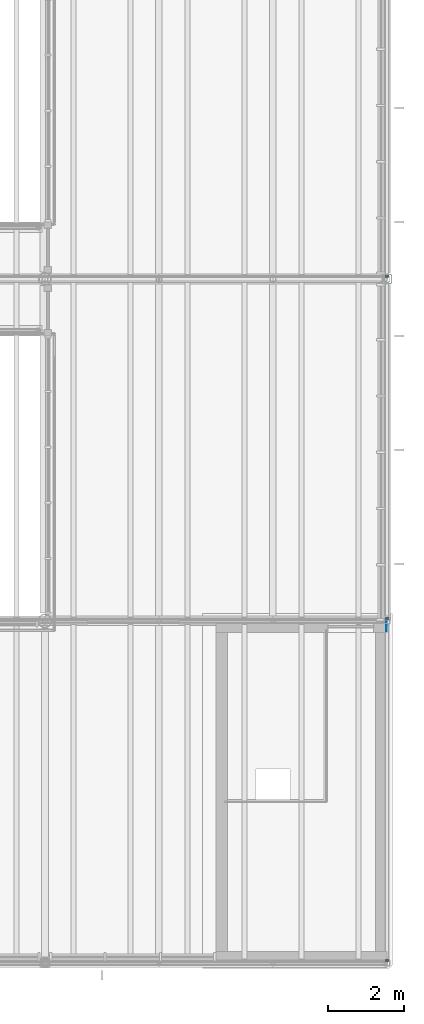
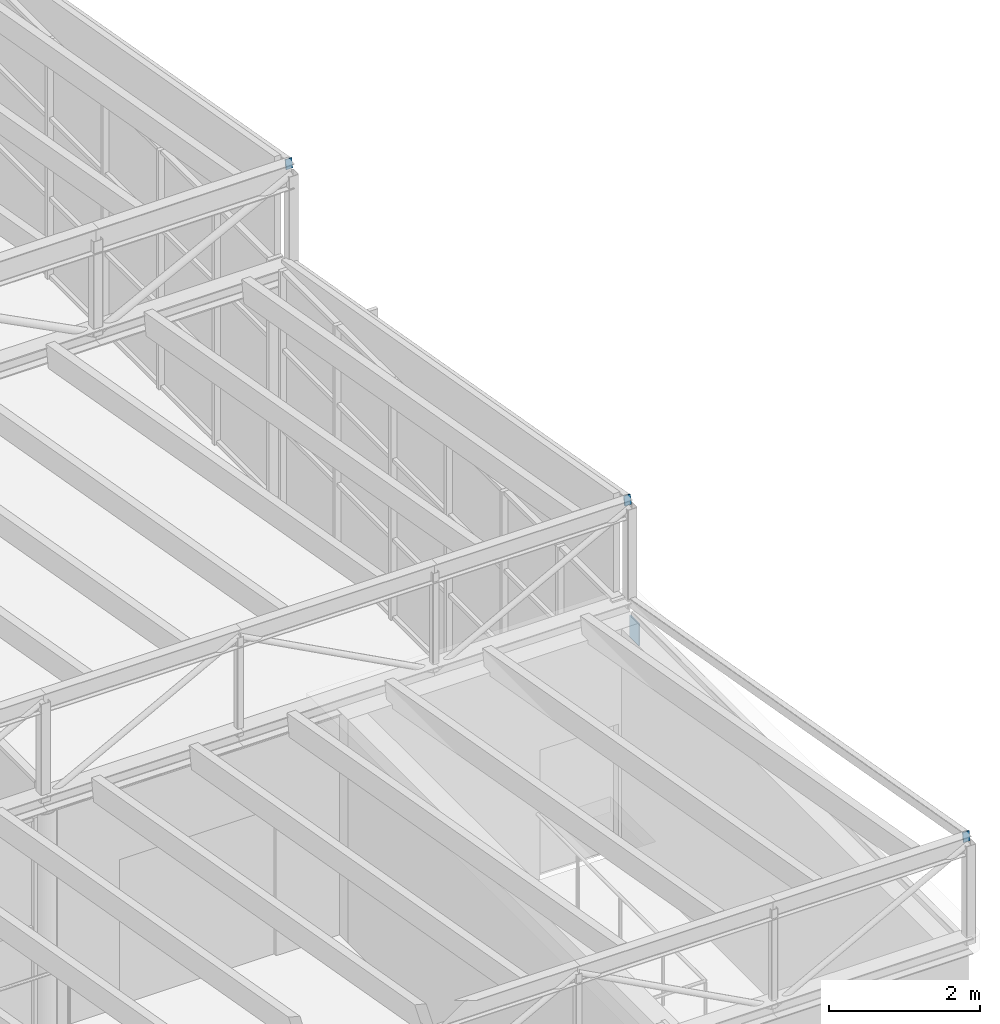
# One storey, part 39 of 44: 4 discrete accessories.
"""IFC4 building model written with IfcOpenShell, lengths in metres."""

from ifc_helpers import new_model, si_unit, direction, frame, origin, origin_2d, place, context, subcontext, project, spatial, rectangle, extrude, element, save


model = new_model("IFC4")

# Units and contexts
model_context = context("Model", 3, precision=1e-05, world=origin(), true_north=direction((0.0, 1.0)))
body_context = subcontext(model_context, "Body", "Model", "MODEL_VIEW")
ifc_project = project(units=[si_unit("LENGTHUNIT", "METRE"), si_unit("AREAUNIT", "SQUARE_METRE"), si_unit("VOLUMEUNIT", "CUBIC_METRE"), si_unit("PLANEANGLEUNIT", "RADIAN"), si_unit("MASSUNIT", "GRAM", prefix="KILO")], contexts=[model_context])

# Site, building, storey
site_placement = place(None, origin())
site = spatial("IfcSite", under=ifc_project, at=site_placement, CompositionType="ELEMENT")
building_placement = place(site_placement, origin())
building = spatial("IfcBuilding", under=site, at=building_placement, Name="Halyard Row Museum", CompositionType="ELEMENT")
storey_placement = place(building_placement, frame((0.0, 0.0, 21.199951171875)))
storey = spatial("IfcBuildingStorey", under=building, at=storey_placement, Name="L04", CompositionType="ELEMENT", Elevation=21.199951171875)

# Discrete accessories
for number, where, z_axis, x_axis, name in (
    (1, (108.0, 0.074951171875, 5.390625), (0.0, -0.985030467156, 0.172380331752), (1.0, 0.0, 0.0), "V2-GE1 raking rafter end plate"),
    (2, (108.0, 9.074951171875, 5.390625), (0.0, -0.985030467156, 0.172380331752), (1.0, 0.0, 0.0), "V2-GE2 raking rafter end plate"),
    (3, (108.0, 18.074951171875, 5.390625), (0.0, -0.985030467156, 0.172380331752), (1.0, 0.0, 0.0), "V2-GE3 raking rafter end plate"),
):
    element("IfcDiscreteAccessory", number, at=place(storey_placement, frame(where, z_axis=z_axis, x_axis=x_axis)), inside=storey, Name=name, PredefinedType="BRACKET", context=body_context, shape_type="SweptSolid", body=[
        extrude(rectangle(XDim=0.10009765625, YDim=0.14990234375, at=origin_2d()), origin(), (0.0, 0.0, 1.0), 0.019775390625),
    ])
discrete_accessory_placement = place(storey_placement, frame((108.0, 8.85009765625, 3.4130859375), z_axis=(-1.0, 0.0, 0.0), x_axis=(0.0, -1.0, 0.0)))
element("IfcDiscreteAccessory", 4, at=discrete_accessory_placement, inside=storey, Name="V2-GE1 raking rafter cast-in plate", PredefinedType="ANCHORPLATE", context=body_context, shape_type="SweptSolid", body=[
    extrude(rectangle(XDim=0.25, YDim=0.35009765625, at=origin_2d()), origin(), (0.0, 0.0, 1.0), 0.02001953125),
])

save(model, "model.ifc")
